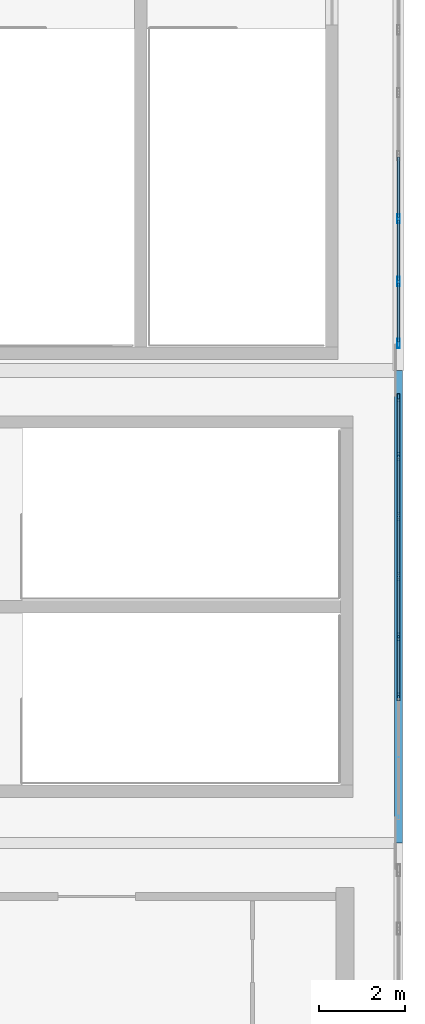
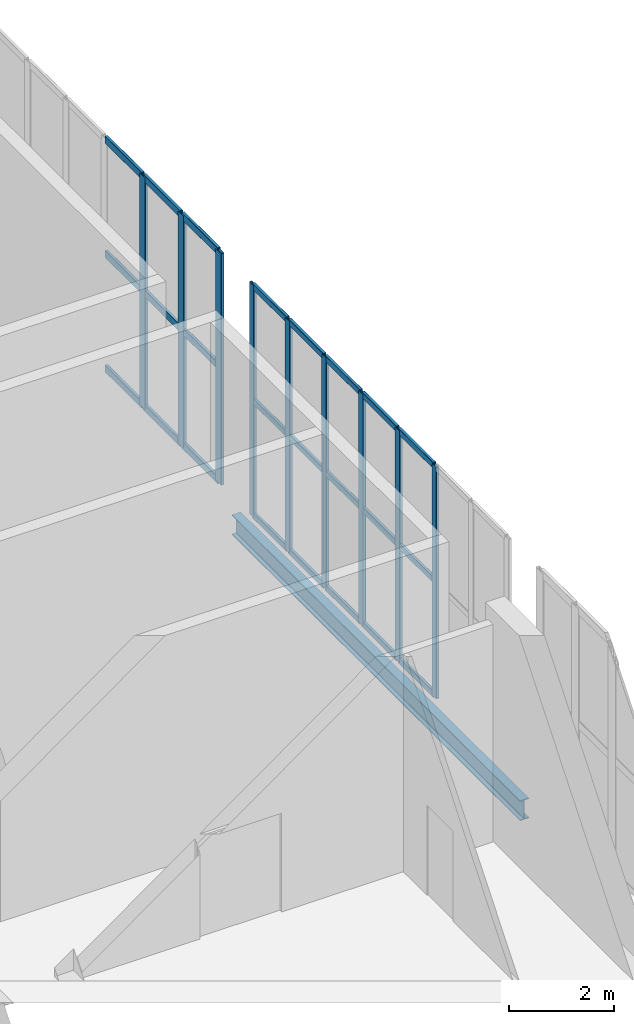
# One storey, part 40 of 74: 33 members, 1 beam, 2 elements without a shape of their own.
"""IFC4 building model written with IfcOpenShell, lengths in metres."""

from ifc_helpers import new_model, si_unit, direction, frame, origin, origin_2d, place, context, subcontext, project, spatial, hollow_rectangle, i_section, extrude, material, layer, layer_set, material_profile, profile_set, type_object, element, aggregate, save


model = new_model("IFC4")

# Units and contexts
model_context = context("Model", 3, precision=1e-05, world=origin(), true_north=direction((0.0, 1.0)))
body_context = subcontext(model_context, "Body", "Model", "MODEL_VIEW")
ifc_project = project(units=[si_unit("LENGTHUNIT", "METRE"), si_unit("AREAUNIT", "SQUARE_METRE"), si_unit("VOLUMEUNIT", "CUBIC_METRE"), si_unit("PLANEANGLEUNIT", "RADIAN"), si_unit("MASSUNIT", "GRAM", prefix="KILO")], contexts=[model_context])

# Site, building, storey
site_placement = place(None, origin())
site = spatial("IfcSite", under=ifc_project, at=site_placement, CompositionType="ELEMENT")
building_placement = place(site_placement, origin())
building = spatial("IfcBuilding", under=site, at=building_placement, Name="Brinegate Civic Arena", CompositionType="ELEMENT")
storey_placement = place(building_placement, frame((0.0, 0.0, 19.199951171875)))
storey = spatial("IfcBuildingStorey", under=building, at=storey_placement, Name="L04", CompositionType="ELEMENT", Elevation=19.199951171875)

# Curtain wall, members
ifc_material_1 = material(Name="Marine grade aluminium", Category="aluminium")
ifc_layer = layer(ifc_material_1, 0.199951171875, Name="Marine grade aluminium")
ifc_layer_set = layer_set([ifc_layer], Name="Marine grade aluminium")
curtain_wall_type = type_object("IfcCurtainWallType", Name="CW-BOWL-GLAZED-01", PredefinedType="USERDEFINED", material=ifc_layer_set)
curtain_wall_1_placement = place(storey_placement, origin())
curtain_wall_1 = element("IfcCurtainWall", 1, at=curtain_wall_1_placement, inside=storey, type_object=curtain_wall_type, Name="Curtain Wall CWA-142", ObjectType="GLAZED CURTAIN WALL", PredefinedType="USERDEFINED")
ifc_material_profile_1 = material_profile(ifc_material_1, hollow_rectangle(XDim=0.06494140625, YDim=0.179931640625, WallThickness=0.0048828125, InnerFilletRadius=0.00390625, OuterFilletRadius=0.008056640625, at=origin_2d()), Name="MUL65X180")
ifc_profile_set_1 = profile_set([ifc_material_profile_1], Name="Marine grade aluminium")
member_type_1 = type_object("IfcMemberType", Name="CW-MULLION-65X180", PredefinedType="MULLION", material=ifc_profile_set_1)
member_1_placement = place(storey_placement, frame((168.0, 96.39990234375, 0.0), z_axis=(0.0, 0.0, 1.0), x_axis=(-1.0, 0.0, 0.0)))
member_1 = element("IfcMember", 2, at=member_1_placement, type_object=member_type_1, Name="CWA-142 mullion 3", PredefinedType="MULLION", context=body_context, shape_type="SweptSolid", body=[
    extrude(hollow_rectangle(XDim=0.06494140625, YDim=0.179931640625, WallThickness=0.0048828125, InnerFilletRadius=0.00390625, OuterFilletRadius=0.008056640625, at=origin_2d()), origin(), (0.0, 0.0, 1.0), 5.400146484375),
])
member_2_placement = place(storey_placement, frame((168.0, 97.800048828125, 0.0), z_axis=(0.0, 0.0, 1.0), x_axis=(-1.0, 0.0, 0.0)))
member_2 = element("IfcMember", 3, at=member_2_placement, type_object=member_type_1, Name="CWA-142 mullion 4", PredefinedType="MULLION", context=body_context, shape_type="SweptSolid", body=[
    extrude(hollow_rectangle(XDim=0.06494140625, YDim=0.179931640625, WallThickness=0.0048828125, InnerFilletRadius=0.00390625, OuterFilletRadius=0.008056640625, at=origin_2d()), origin(), (0.0, 0.0, 1.0), 5.400146484375),
])
member_3_placement = place(storey_placement, frame((168.0, 99.199951171875, 0.0), z_axis=(0.0, 0.0, 1.0), x_axis=(-1.0, 0.0, 0.0)))
member_3 = element("IfcMember", 4, at=member_3_placement, type_object=member_type_1, Name="CWA-142 mullion 5", PredefinedType="MULLION", context=body_context, shape_type="SweptSolid", body=[
    extrude(hollow_rectangle(XDim=0.06494140625, YDim=0.179931640625, WallThickness=0.0048828125, InnerFilletRadius=0.00390625, OuterFilletRadius=0.008056640625, at=origin_2d()), origin(), (0.0, 0.0, 1.0), 5.400146484375),
])
member_4_placement = place(storey_placement, frame((168.0, 100.60009765625, 0.0), z_axis=(0.0, 0.0, 1.0), x_axis=(-1.0, 0.0, 0.0)))
member_4 = element("IfcMember", 5, at=member_4_placement, type_object=member_type_1, Name="CWA-142 mullion 6", PredefinedType="MULLION", context=body_context, shape_type="SweptSolid", body=[
    extrude(hollow_rectangle(XDim=0.06494140625, YDim=0.179931640625, WallThickness=0.0048828125, InnerFilletRadius=0.00390625, OuterFilletRadius=0.008056640625, at=origin_2d()), origin(), (0.0, 0.0, 1.0), 5.400146484375),
])
member_5_placement = place(storey_placement, frame((168.0, 102.0, 0.0), z_axis=(0.0, 0.0, 1.0), x_axis=(-1.0, 0.0, 0.0)))
member_5 = element("IfcMember", 6, at=member_5_placement, type_object=member_type_1, Name="CWA-142 mullion 7", PredefinedType="MULLION", context=body_context, shape_type="SweptSolid", body=[
    extrude(hollow_rectangle(XDim=0.06494140625, YDim=0.179931640625, WallThickness=0.0048828125, InnerFilletRadius=0.00390625, OuterFilletRadius=0.008056640625, at=origin_2d()), origin(), (0.0, 0.0, 1.0), 5.400146484375),
])
member_6_placement = place(storey_placement, frame((168.0, 103.367431640625, 0.0), z_axis=(0.0, 0.0, 1.0), x_axis=(-1.0, 0.0, 0.0)))
member_6 = element("IfcMember", 7, at=member_6_placement, type_object=member_type_1, Name="CWA-142 mullion 8", PredefinedType="MULLION", context=body_context, shape_type="SweptSolid", body=[
    extrude(hollow_rectangle(XDim=0.06494140625, YDim=0.179931640625, WallThickness=0.0048828125, InnerFilletRadius=0.00390625, OuterFilletRadius=0.008056640625, at=origin_2d()), origin(), (0.0, 0.0, 1.0), 5.400146484375),
])

curtain_wall_2_placement = place(storey_placement, origin())
curtain_wall_2 = element("IfcCurtainWall", 8, at=curtain_wall_2_placement, inside=storey, type_object=curtain_wall_type, Name="Curtain Wall CWA-143", ObjectType="GLAZED CURTAIN WALL", PredefinedType="USERDEFINED")
ifc_material_profile_2 = material_profile(ifc_material_1, hollow_rectangle(XDim=0.06494140625, YDim=0.219970703125, WallThickness=0.006103515625, InnerFilletRadius=0.00390625, OuterFilletRadius=0.008056640625, at=origin_2d()), Name="MUL65X220")
ifc_profile_set_2 = profile_set([ifc_material_profile_2], Name="Marine grade aluminium")
member_type_2 = type_object("IfcMemberType", Name="CW-MULLION-65X220", PredefinedType="MULLION", material=ifc_profile_set_2)
member_7_placement = place(storey_placement, frame((168.0, 104.632568359375, 0.0), z_axis=(0.0, 0.0, 1.0), x_axis=(-1.0, 0.0, 0.0)))
member_7 = element("IfcMember", 9, at=member_7_placement, type_object=member_type_2, Name="CWA-143 mullion 1", PredefinedType="MULLION", context=body_context, shape_type="SweptSolid", body=[
    extrude(hollow_rectangle(XDim=0.06494140625, YDim=0.219970703125, WallThickness=0.006103515625, InnerFilletRadius=0.00390625, OuterFilletRadius=0.008056640625, at=origin_2d()), origin(), (0.0, 0.0, 1.0), 5.400146484375),
])
member_8_placement = place(storey_placement, frame((168.0, 106.066650390625, 0.0), z_axis=(0.0, 0.0, 1.0), x_axis=(-1.0, 0.0, 0.0)))
member_8 = element("IfcMember", 10, at=member_8_placement, type_object=member_type_2, Name="CWA-143 mullion 2", PredefinedType="MULLION", context=body_context, shape_type="SweptSolid", body=[
    extrude(hollow_rectangle(XDim=0.06494140625, YDim=0.219970703125, WallThickness=0.006103515625, InnerFilletRadius=0.00390625, OuterFilletRadius=0.008056640625, at=origin_2d()), origin(), (0.0, 0.0, 1.0), 5.400146484375),
])
member_9_placement = place(storey_placement, frame((168.0, 107.533447265625, 0.0), z_axis=(0.0, 0.0, 1.0), x_axis=(-1.0, 0.0, 0.0)))
member_9 = element("IfcMember", 11, at=member_9_placement, type_object=member_type_2, Name="CWA-143 mullion 3", PredefinedType="MULLION", context=body_context, shape_type="SweptSolid", body=[
    extrude(hollow_rectangle(XDim=0.06494140625, YDim=0.219970703125, WallThickness=0.006103515625, InnerFilletRadius=0.00390625, OuterFilletRadius=0.008056640625, at=origin_2d()), origin(), (0.0, 0.0, 1.0), 5.400146484375),
])

# Member
ifc_material_profile_3 = material_profile(ifc_material_1, hollow_rectangle(XDim=0.06494140625, YDim=0.139892578125, WallThickness=0.0048828125, InnerFilletRadius=0.00390625, OuterFilletRadius=0.008056640625, at=origin_2d()), Name="TRN65X140")
ifc_profile_set_3 = profile_set([ifc_material_profile_3], Name="Marine grade aluminium")
member_type_3 = type_object("IfcMemberType", Name="CW-TRANSOM-65X140", PredefinedType="USERDEFINED", material=ifc_profile_set_3)
member_10_placement = place(storey_placement, frame((168.0, 96.4326171875, 0.032470703125), z_axis=(0.0, 1.0, 0.0), x_axis=(-1.0, 0.0, 0.0)))
member_10 = element("IfcMember", 12, at=member_10_placement, type_object=member_type_3, Name="CWA-142 transom 3.1", ObjectType="TRANSOM", PredefinedType="USERDEFINED", context=body_context, shape_type="SweptSolid", body=[
    extrude(hollow_rectangle(XDim=0.06494140625, YDim=0.139892578125, WallThickness=0.0048828125, InnerFilletRadius=0.00390625, OuterFilletRadius=0.008056640625, at=origin_2d()), origin(), (0.0, 0.0, 1.0), 1.3349609375),
])

member_11_placement = place(storey_placement, frame((168.0, 96.4326171875, 2.699951171875), z_axis=(0.0, 1.0, 0.0), x_axis=(-1.0, 0.0, 0.0)))
member_11 = element("IfcMember", 13, at=member_11_placement, type_object=member_type_3, Name="CWA-142 transom 3.2", ObjectType="TRANSOM", PredefinedType="USERDEFINED", context=body_context, shape_type="SweptSolid", body=[
    extrude(hollow_rectangle(XDim=0.06494140625, YDim=0.139892578125, WallThickness=0.0048828125, InnerFilletRadius=0.00390625, OuterFilletRadius=0.008056640625, at=origin_2d()), origin(), (0.0, 0.0, 1.0), 1.3349609375),
])

member_12_placement = place(storey_placement, frame((168.0, 96.4326171875, 5.367431640625), z_axis=(0.0, 1.0, 0.0), x_axis=(-1.0, 0.0, 0.0)))
member_12 = element("IfcMember", 14, at=member_12_placement, type_object=member_type_3, Name="CWA-142 transom 3.3", ObjectType="TRANSOM", PredefinedType="USERDEFINED", context=body_context, shape_type="SweptSolid", body=[
    extrude(hollow_rectangle(XDim=0.06494140625, YDim=0.139892578125, WallThickness=0.0048828125, InnerFilletRadius=0.00390625, OuterFilletRadius=0.008056640625, at=origin_2d()), origin(), (0.0, 0.0, 1.0), 1.3349609375),
])

member_13_placement = place(storey_placement, frame((168.0, 97.83251953125, 0.032470703125), z_axis=(0.0, 1.0, 0.0), x_axis=(-1.0, 0.0, 0.0)))
member_13 = element("IfcMember", 15, at=member_13_placement, type_object=member_type_3, Name="CWA-142 transom 4.1", ObjectType="TRANSOM", PredefinedType="USERDEFINED", context=body_context, shape_type="SweptSolid", body=[
    extrude(hollow_rectangle(XDim=0.06494140625, YDim=0.139892578125, WallThickness=0.0048828125, InnerFilletRadius=0.00390625, OuterFilletRadius=0.008056640625, at=origin_2d()), origin(), (0.0, 0.0, 1.0), 1.3349609375),
])

member_14_placement = place(storey_placement, frame((168.0, 97.83251953125, 2.699951171875), z_axis=(0.0, 1.0, 0.0), x_axis=(-1.0, 0.0, 0.0)))
member_14 = element("IfcMember", 16, at=member_14_placement, type_object=member_type_3, Name="CWA-142 transom 4.2", ObjectType="TRANSOM", PredefinedType="USERDEFINED", context=body_context, shape_type="SweptSolid", body=[
    extrude(hollow_rectangle(XDim=0.06494140625, YDim=0.139892578125, WallThickness=0.0048828125, InnerFilletRadius=0.00390625, OuterFilletRadius=0.008056640625, at=origin_2d()), origin(), (0.0, 0.0, 1.0), 1.3349609375),
])

member_15_placement = place(storey_placement, frame((168.0, 97.83251953125, 5.367431640625), z_axis=(0.0, 1.0, 0.0), x_axis=(-1.0, 0.0, 0.0)))
member_15 = element("IfcMember", 17, at=member_15_placement, type_object=member_type_3, Name="CWA-142 transom 4.3", ObjectType="TRANSOM", PredefinedType="USERDEFINED", context=body_context, shape_type="SweptSolid", body=[
    extrude(hollow_rectangle(XDim=0.06494140625, YDim=0.139892578125, WallThickness=0.0048828125, InnerFilletRadius=0.00390625, OuterFilletRadius=0.008056640625, at=origin_2d()), origin(), (0.0, 0.0, 1.0), 1.3349609375),
])

member_16_placement = place(storey_placement, frame((168.0, 99.232421875, 0.032470703125), z_axis=(0.0, 1.0, 0.0), x_axis=(-1.0, 0.0, 0.0)))
member_16 = element("IfcMember", 18, at=member_16_placement, type_object=member_type_3, Name="CWA-142 transom 5.1", ObjectType="TRANSOM", PredefinedType="USERDEFINED", context=body_context, shape_type="SweptSolid", body=[
    extrude(hollow_rectangle(XDim=0.06494140625, YDim=0.139892578125, WallThickness=0.0048828125, InnerFilletRadius=0.00390625, OuterFilletRadius=0.008056640625, at=origin_2d()), origin(), (0.0, 0.0, 1.0), 1.3349609375),
])

member_17_placement = place(storey_placement, frame((168.0, 99.232421875, 2.699951171875), z_axis=(0.0, 1.0, 0.0), x_axis=(-1.0, 0.0, 0.0)))
member_17 = element("IfcMember", 19, at=member_17_placement, type_object=member_type_3, Name="CWA-142 transom 5.2", ObjectType="TRANSOM", PredefinedType="USERDEFINED", context=body_context, shape_type="SweptSolid", body=[
    extrude(hollow_rectangle(XDim=0.06494140625, YDim=0.139892578125, WallThickness=0.0048828125, InnerFilletRadius=0.00390625, OuterFilletRadius=0.008056640625, at=origin_2d()), origin(), (0.0, 0.0, 1.0), 1.3349609375),
])

member_18_placement = place(storey_placement, frame((168.0, 99.232421875, 5.367431640625), z_axis=(0.0, 1.0, 0.0), x_axis=(-1.0, 0.0, 0.0)))
member_18 = element("IfcMember", 20, at=member_18_placement, type_object=member_type_3, Name="CWA-142 transom 5.3", ObjectType="TRANSOM", PredefinedType="USERDEFINED", context=body_context, shape_type="SweptSolid", body=[
    extrude(hollow_rectangle(XDim=0.06494140625, YDim=0.139892578125, WallThickness=0.0048828125, InnerFilletRadius=0.00390625, OuterFilletRadius=0.008056640625, at=origin_2d()), origin(), (0.0, 0.0, 1.0), 1.3349609375),
])

member_19_placement = place(storey_placement, frame((168.0, 100.632568359375, 0.032470703125), z_axis=(0.0, 1.0, 0.0), x_axis=(-1.0, 0.0, 0.0)))
member_19 = element("IfcMember", 21, at=member_19_placement, type_object=member_type_3, Name="CWA-142 transom 6.1", ObjectType="TRANSOM", PredefinedType="USERDEFINED", context=body_context, shape_type="SweptSolid", body=[
    extrude(hollow_rectangle(XDim=0.06494140625, YDim=0.139892578125, WallThickness=0.0048828125, InnerFilletRadius=0.00390625, OuterFilletRadius=0.008056640625, at=origin_2d()), origin(), (0.0, 0.0, 1.0), 1.3349609375),
])

member_20_placement = place(storey_placement, frame((168.0, 100.632568359375, 2.699951171875), z_axis=(0.0, 1.0, 0.0), x_axis=(-1.0, 0.0, 0.0)))
member_20 = element("IfcMember", 22, at=member_20_placement, type_object=member_type_3, Name="CWA-142 transom 6.2", ObjectType="TRANSOM", PredefinedType="USERDEFINED", context=body_context, shape_type="SweptSolid", body=[
    extrude(hollow_rectangle(XDim=0.06494140625, YDim=0.139892578125, WallThickness=0.0048828125, InnerFilletRadius=0.00390625, OuterFilletRadius=0.008056640625, at=origin_2d()), origin(), (0.0, 0.0, 1.0), 1.3349609375),
])

member_21_placement = place(storey_placement, frame((168.0, 100.632568359375, 5.367431640625), z_axis=(0.0, 1.0, 0.0), x_axis=(-1.0, 0.0, 0.0)))
member_21 = element("IfcMember", 23, at=member_21_placement, type_object=member_type_3, Name="CWA-142 transom 6.3", ObjectType="TRANSOM", PredefinedType="USERDEFINED", context=body_context, shape_type="SweptSolid", body=[
    extrude(hollow_rectangle(XDim=0.06494140625, YDim=0.139892578125, WallThickness=0.0048828125, InnerFilletRadius=0.00390625, OuterFilletRadius=0.008056640625, at=origin_2d()), origin(), (0.0, 0.0, 1.0), 1.3349609375),
])

member_22_placement = place(storey_placement, frame((168.0, 102.032470703125, 0.032470703125), z_axis=(0.0, 1.0, 0.0), x_axis=(-1.0, 0.0, 0.0)))
member_22 = element("IfcMember", 24, at=member_22_placement, type_object=member_type_3, Name="CWA-142 transom 7.1", ObjectType="TRANSOM", PredefinedType="USERDEFINED", context=body_context, shape_type="SweptSolid", body=[
    extrude(hollow_rectangle(XDim=0.06494140625, YDim=0.139892578125, WallThickness=0.0048828125, InnerFilletRadius=0.00390625, OuterFilletRadius=0.008056640625, at=origin_2d()), origin(), (0.0, 0.0, 1.0), 1.302490234375),
])

member_23_placement = place(storey_placement, frame((168.0, 102.032470703125, 2.699951171875), z_axis=(0.0, 1.0, 0.0), x_axis=(-1.0, 0.0, 0.0)))
member_23 = element("IfcMember", 25, at=member_23_placement, type_object=member_type_3, Name="CWA-142 transom 7.2", ObjectType="TRANSOM", PredefinedType="USERDEFINED", context=body_context, shape_type="SweptSolid", body=[
    extrude(hollow_rectangle(XDim=0.06494140625, YDim=0.139892578125, WallThickness=0.0048828125, InnerFilletRadius=0.00390625, OuterFilletRadius=0.008056640625, at=origin_2d()), origin(), (0.0, 0.0, 1.0), 1.302490234375),
])

member_24_placement = place(storey_placement, frame((168.0, 102.032470703125, 5.367431640625), z_axis=(0.0, 1.0, 0.0), x_axis=(-1.0, 0.0, 0.0)))
member_24 = element("IfcMember", 26, at=member_24_placement, type_object=member_type_3, Name="CWA-142 transom 7.3", ObjectType="TRANSOM", PredefinedType="USERDEFINED", context=body_context, shape_type="SweptSolid", body=[
    extrude(hollow_rectangle(XDim=0.06494140625, YDim=0.139892578125, WallThickness=0.0048828125, InnerFilletRadius=0.00390625, OuterFilletRadius=0.008056640625, at=origin_2d()), origin(), (0.0, 0.0, 1.0), 1.302490234375),
])

aggregate(curtain_wall_1, [member_1, member_2, member_3, member_4, member_5, member_6, member_10, member_11, member_12, member_13, member_14, member_15, member_16, member_17, member_18, member_19, member_20, member_21, member_22, member_23, member_24])

ifc_material_profile_4 = material_profile(ifc_material_1, hollow_rectangle(XDim=0.06494140625, YDim=0.1650390625, WallThickness=0.0048828125, InnerFilletRadius=0.00390625, OuterFilletRadius=0.008056640625, at=origin_2d()), Name="TRN65X165")
ifc_profile_set_4 = profile_set([ifc_material_profile_4], Name="Marine grade aluminium")
member_type_4 = type_object("IfcMemberType", Name="CW-TRANSOM-65X165", PredefinedType="USERDEFINED", material=ifc_profile_set_4)
member_25_placement = place(storey_placement, frame((168.0, 104.6650390625, 0.032470703125), z_axis=(0.0, 1.0, 0.0), x_axis=(-1.0, 0.0, 0.0)))
member_25 = element("IfcMember", 27, at=member_25_placement, type_object=member_type_4, Name="CWA-143 transom 1.1", ObjectType="TRANSOM", PredefinedType="USERDEFINED", context=body_context, shape_type="SweptSolid", body=[
    extrude(hollow_rectangle(XDim=0.06494140625, YDim=0.1650390625, WallThickness=0.0048828125, InnerFilletRadius=0.00390625, OuterFilletRadius=0.008056640625, at=origin_2d()), origin(), (0.0, 0.0, 1.0), 1.369140625),
])

member_26_placement = place(storey_placement, frame((168.0, 104.6650390625, 2.699951171875), z_axis=(0.0, 1.0, 0.0), x_axis=(-1.0, 0.0, 0.0)))
member_26 = element("IfcMember", 28, at=member_26_placement, type_object=member_type_4, Name="CWA-143 transom 1.2", ObjectType="TRANSOM", PredefinedType="USERDEFINED", context=body_context, shape_type="SweptSolid", body=[
    extrude(hollow_rectangle(XDim=0.06494140625, YDim=0.1650390625, WallThickness=0.0048828125, InnerFilletRadius=0.00390625, OuterFilletRadius=0.008056640625, at=origin_2d()), origin(), (0.0, 0.0, 1.0), 1.369140625),
])

member_27_placement = place(storey_placement, frame((168.0, 104.6650390625, 5.367431640625), z_axis=(0.0, 1.0, 0.0), x_axis=(-1.0, 0.0, 0.0)))
member_27 = element("IfcMember", 29, at=member_27_placement, type_object=member_type_4, Name="CWA-143 transom 1.3", ObjectType="TRANSOM", PredefinedType="USERDEFINED", context=body_context, shape_type="SweptSolid", body=[
    extrude(hollow_rectangle(XDim=0.06494140625, YDim=0.1650390625, WallThickness=0.0048828125, InnerFilletRadius=0.00390625, OuterFilletRadius=0.008056640625, at=origin_2d()), origin(), (0.0, 0.0, 1.0), 1.369140625),
])

member_28_placement = place(storey_placement, frame((168.0, 106.09912109375, 0.032470703125), z_axis=(0.0, 1.0, 0.0), x_axis=(-1.0, 0.0, 0.0)))
member_28 = element("IfcMember", 30, at=member_28_placement, type_object=member_type_4, Name="CWA-143 transom 2.1", ObjectType="TRANSOM", PredefinedType="USERDEFINED", context=body_context, shape_type="SweptSolid", body=[
    extrude(hollow_rectangle(XDim=0.06494140625, YDim=0.1650390625, WallThickness=0.0048828125, InnerFilletRadius=0.00390625, OuterFilletRadius=0.008056640625, at=origin_2d()), origin(), (0.0, 0.0, 1.0), 1.401611328125),
])

member_29_placement = place(storey_placement, frame((168.0, 106.09912109375, 2.699951171875), z_axis=(0.0, 1.0, 0.0), x_axis=(-1.0, 0.0, 0.0)))
member_29 = element("IfcMember", 31, at=member_29_placement, type_object=member_type_4, Name="CWA-143 transom 2.2", ObjectType="TRANSOM", PredefinedType="USERDEFINED", context=body_context, shape_type="SweptSolid", body=[
    extrude(hollow_rectangle(XDim=0.06494140625, YDim=0.1650390625, WallThickness=0.0048828125, InnerFilletRadius=0.00390625, OuterFilletRadius=0.008056640625, at=origin_2d()), origin(), (0.0, 0.0, 1.0), 1.401611328125),
])

member_30_placement = place(storey_placement, frame((168.0, 106.09912109375, 5.367431640625), z_axis=(0.0, 1.0, 0.0), x_axis=(-1.0, 0.0, 0.0)))
member_30 = element("IfcMember", 32, at=member_30_placement, type_object=member_type_4, Name="CWA-143 transom 2.3", ObjectType="TRANSOM", PredefinedType="USERDEFINED", context=body_context, shape_type="SweptSolid", body=[
    extrude(hollow_rectangle(XDim=0.06494140625, YDim=0.1650390625, WallThickness=0.0048828125, InnerFilletRadius=0.00390625, OuterFilletRadius=0.008056640625, at=origin_2d()), origin(), (0.0, 0.0, 1.0), 1.401611328125),
])

member_31_placement = place(storey_placement, frame((168.0, 107.56591796875, 0.032470703125), z_axis=(0.0, 1.0, 0.0), x_axis=(-1.0, 0.0, 0.0)))
member_31 = element("IfcMember", 33, at=member_31_placement, type_object=member_type_4, Name="CWA-143 transom 3.1", ObjectType="TRANSOM", PredefinedType="USERDEFINED", context=body_context, shape_type="SweptSolid", body=[
    extrude(hollow_rectangle(XDim=0.06494140625, YDim=0.1650390625, WallThickness=0.0048828125, InnerFilletRadius=0.00390625, OuterFilletRadius=0.008056640625, at=origin_2d()), origin(), (0.0, 0.0, 1.0), 1.401611328125),
])

member_32_placement = place(storey_placement, frame((168.0, 107.56591796875, 2.699951171875), z_axis=(0.0, 1.0, 0.0), x_axis=(-1.0, 0.0, 0.0)))
member_32 = element("IfcMember", 34, at=member_32_placement, type_object=member_type_4, Name="CWA-143 transom 3.2", ObjectType="TRANSOM", PredefinedType="USERDEFINED", context=body_context, shape_type="SweptSolid", body=[
    extrude(hollow_rectangle(XDim=0.06494140625, YDim=0.1650390625, WallThickness=0.0048828125, InnerFilletRadius=0.00390625, OuterFilletRadius=0.008056640625, at=origin_2d()), origin(), (0.0, 0.0, 1.0), 1.401611328125),
])

member_33_placement = place(storey_placement, frame((168.0, 107.56591796875, 5.367431640625), z_axis=(0.0, 1.0, 0.0), x_axis=(-1.0, 0.0, 0.0)))
member_33 = element("IfcMember", 35, at=member_33_placement, type_object=member_type_4, Name="CWA-143 transom 3.3", ObjectType="TRANSOM", PredefinedType="USERDEFINED", context=body_context, shape_type="SweptSolid", body=[
    extrude(hollow_rectangle(XDim=0.06494140625, YDim=0.1650390625, WallThickness=0.0048828125, InnerFilletRadius=0.00390625, OuterFilletRadius=0.008056640625, at=origin_2d()), origin(), (0.0, 0.0, 1.0), 1.401611328125),
])

aggregate(curtain_wall_2, [member_7, member_8, member_9, member_25, member_26, member_27, member_28, member_29, member_30, member_31, member_32, member_33])

# Beam
ifc_material_2 = material(Name="Steel S355", Category="steel")
ifc_material_profile_5 = material_profile(ifc_material_2, i_section(OverallWidth=0.193115234375, OverallDepth=0.466064453125, WebThickness=0.010986328125, FlangeThickness=0.01904296875, FilletRadius=0.014892578125, at=origin_2d()), Name="W460X97")
ifc_profile_set_5 = profile_set([ifc_material_profile_5], Name="Steel S355")
beam_type = type_object("IfcBeamType", Name="SPANDREL-W460X97", PredefinedType="SPANDREL", material=ifc_profile_set_5)
beam_placement = place(storey_placement, frame((168.0, 93.0, -0.572998046875), z_axis=(0.0, 1.0, 0.0), x_axis=(-1.0, 0.0, 0.0)))
element("IfcBeam", 36, at=beam_placement, inside=storey, type_object=beam_type, Name="Floor Girder BM-L04-GY-14-09", PredefinedType="SPANDREL", context=body_context, shape_type="SweptSolid", body=[
    extrude(i_section(OverallWidth=0.193115234375, OverallDepth=0.466064453125, WebThickness=0.010986328125, FlangeThickness=0.01904296875, FilletRadius=0.014892578125, at=origin_2d()), origin(), (0.0, 0.0, 1.0), 11.0),
])

save(model, "model.ifc")
